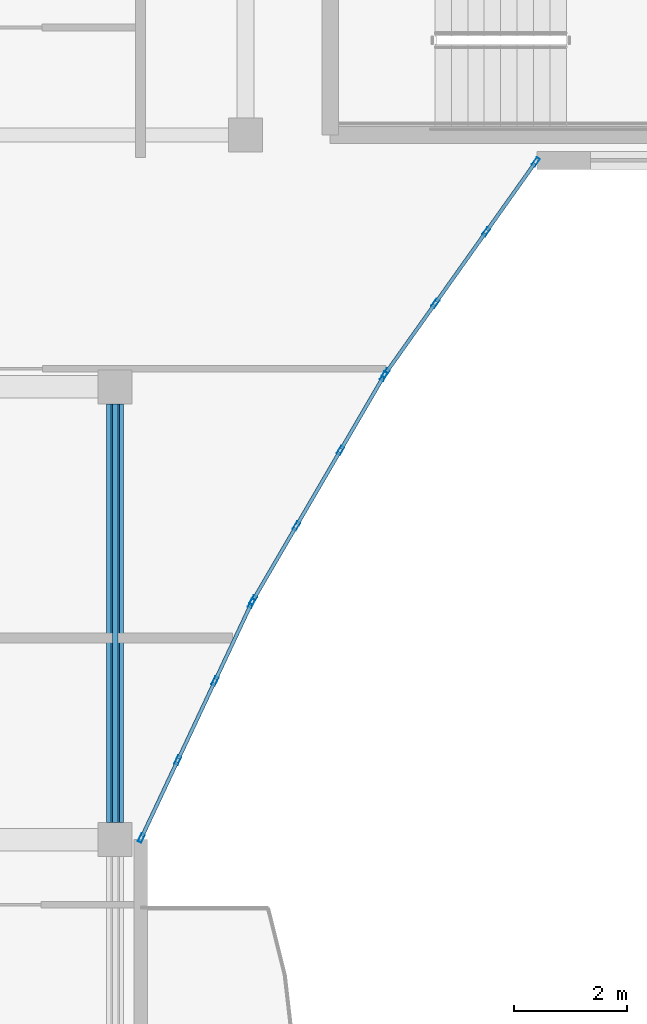
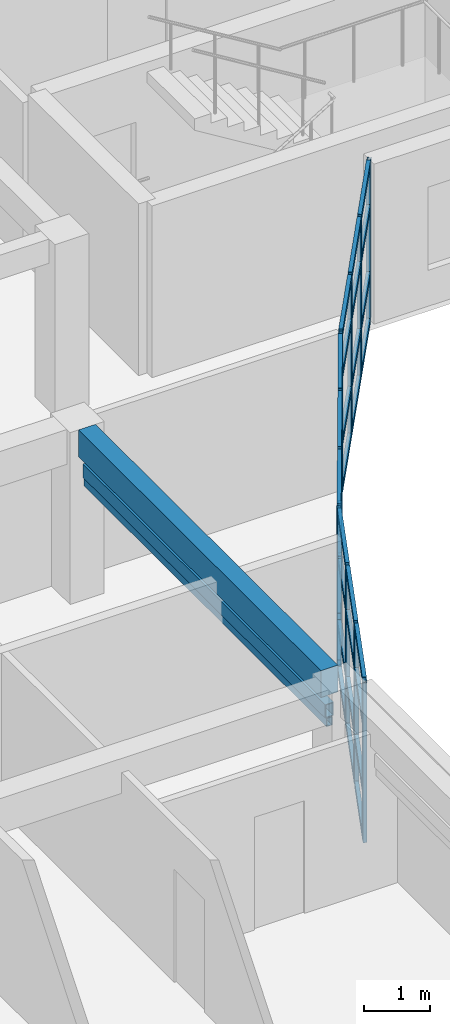
# One storey, part 2 of 72: 50 members, 1 beam, 3 elements without a shape of their own.
"""IFC4 building model written with IfcOpenShell, lengths in metres."""

from ifc_helpers import new_model, si_unit, direction, frame, origin, origin_2d, place, context, subcontext, project, spatial, rectangle, hollow_rectangle, extrude, material, layer, layer_set, material_profile, profile_set, type_object, element, aggregate, save


model = new_model("IFC4")

# Units and contexts
model_context = context("Model", 3, precision=1e-05, world=origin(), true_north=direction((0.0, 1.0)))
body_context = subcontext(model_context, "Body", "Model", "MODEL_VIEW")
ifc_project = project(units=[si_unit("LENGTHUNIT", "METRE"), si_unit("AREAUNIT", "SQUARE_METRE"), si_unit("VOLUMEUNIT", "CUBIC_METRE"), si_unit("PLANEANGLEUNIT", "RADIAN"), si_unit("MASSUNIT", "GRAM", prefix="KILO")], contexts=[model_context])

# Site, building, storey
site_placement = place(None, origin())
site = spatial("IfcSite", under=ifc_project, at=site_placement, CompositionType="ELEMENT")
building_placement = place(site_placement, origin())
building = spatial("IfcBuilding", under=site, at=building_placement, Name="Keldmere Railside Commons", CompositionType="ELEMENT")
storey_placement = place(building_placement, frame((0.0, 0.0, 16.9599609375)))
storey = spatial("IfcBuildingStorey", under=building, at=storey_placement, Name="L05", CompositionType="ELEMENT", Elevation=16.9599609375)

# Member
ifc_material_1 = material(Name="Steel F-36 (S355)", Category="steel")
ifc_material_profile_1 = material_profile(ifc_material_1, hollow_rectangle(XDim=0.14990234375, YDim=0.25, WallThickness=0.010009765625, at=origin_2d()), Name="RHS-250x150x10")
ifc_profile_set_1 = profile_set([ifc_material_profile_1], Name="Steel F-36 (S355)")
member_type_1 = type_object("IfcMemberType", Name="Balcony Continuous Planted Trough RHS250x150", PredefinedType="CHORD", material=ifc_profile_set_1)
member_1_placement = place(storey_placement, frame((23.550048828125, 88.300048828125, 2.4150390625), z_axis=(0.0, 1.0, 0.0), x_axis=(-1.0, 0.0, 0.0)))
element("IfcMember", 1, at=member_1_placement, inside=storey, type_object=member_type_1, Name="PLT-1 MEM-BPLT-0585", PredefinedType="CHORD", context=body_context, shape_type="SweptSolid", body=[
    extrude(hollow_rectangle(XDim=0.14990234375, YDim=0.25, WallThickness=0.010009765625, at=origin_2d()), origin(), (0.0, 0.0, 1.0), 7.39990234375),
])

# Beam
ifc_material_2 = material(Name="Concrete H-30 (C30/37)", Category="concrete")
ifc_material_profile_2 = material_profile(ifc_material_2, rectangle(XDim=0.300048828125, YDim=0.5, at=origin_2d()), Name="RC-300x500")
ifc_profile_set_2 = profile_set([ifc_material_profile_2], Name="Concrete H-30 (C30/37)")
beam_type = type_object("IfcBeamType", Name="Secondary Frame RC Beam 300x500", PredefinedType="BEAM", material=ifc_profile_set_2)
beam_placement = place(storey_placement, frame((23.550048828125, 88.300048828125, 2.949951171875), z_axis=(0.0, 1.0, 0.0), x_axis=(-1.0, 0.0, 0.0)))
element("IfcBeam", 2, at=beam_placement, inside=storey, type_object=beam_type, Name="BG-5 BM-L05-1788", PredefinedType="BEAM", context=body_context, shape_type="SweptSolid", body=[
    extrude(rectangle(XDim=0.300048828125, YDim=0.5, at=origin_2d()), origin(), (0.0, 0.0, 1.0), 7.39990234375),
])

# Member
ifc_material_profile_3 = material_profile(ifc_material_1, hollow_rectangle(XDim=0.10009765625, YDim=0.159912109375, WallThickness=0.008056640625, at=origin_2d()), Name="RHS-160x100x8")
ifc_profile_set_3 = profile_set([ifc_material_profile_3], Name="Steel F-36 (S355)")
member_type_2 = type_object("IfcMemberType", Name="Solar Brise-Soleil Louvre Fin RHS160x100", PredefinedType="STRUT", material=ifc_profile_set_3)
member_2_placement = place(storey_placement, frame((23.550048828125, 88.300048828125, 2.199951171875), z_axis=(0.0, 1.0, 0.0), x_axis=(-1.0, 0.0, 0.0)))
element("IfcMember", 3, at=member_2_placement, inside=storey, type_object=member_type_2, Name="BSF-1 MEM-BSF-0586", PredefinedType="STRUT", context=body_context, shape_type="SweptSolid", body=[
    extrude(hollow_rectangle(XDim=0.10009765625, YDim=0.159912109375, WallThickness=0.008056640625, at=origin_2d()), origin(), (0.0, 0.0, 1.0), 7.39990234375),
])

# Curtain wall, members
ifc_material_3 = material(Name="Thermally Broken Aluminium", Category="aluminium")
ifc_layer_1 = layer(ifc_material_3, 0.159912109375, Name="Court Chord Wintergarden CW 4800x2850")
ifc_layer_set_1 = layer_set([ifc_layer_1], Name="Thermally Broken Aluminium")
curtain_wall_type_1 = type_object("IfcCurtainWallType", Name="Court Chord Wintergarden CW 4800x2850", PredefinedType="NOTDEFINED", material=ifc_layer_set_1)
curtain_wall_1_placement = place(storey_placement, origin())
curtain_wall_1 = element("IfcCurtainWall", 4, at=curtain_wall_1_placement, inside=storey, type_object=curtain_wall_type_1, Name="CW-12 CW-L05-016", PredefinedType="NOTDEFINED")
ifc_material_profile_4 = material_profile(ifc_material_3, hollow_rectangle(XDim=0.06494140625, YDim=0.159912109375, WallThickness=0.00390625, at=origin_2d()), Name="ALU-MULL-65x160")
ifc_profile_set_4 = profile_set([ifc_material_profile_4], Name="Thermally Broken Aluminium")
member_type_3 = type_object("IfcMemberType", Name="Unitised Curtain Wall Mullion 65x160", PredefinedType="MULLION", material=ifc_profile_set_4)
member_3_placement = place(storey_placement, frame((25.958251953125, 92.173583984375, 0.0), z_axis=(0.0, 0.0, 1.0), x_axis=(0.905306255478, -0.424759442264, 0.0)))
member_3 = element("IfcMember", 5, at=member_3_placement, type_object=member_type_3, Name="CW-12 mullion 1", PredefinedType="MULLION", context=body_context, shape_type="SweptSolid", body=[
    extrude(hollow_rectangle(XDim=0.06494140625, YDim=0.159912109375, WallThickness=0.00390625, at=origin_2d()), origin(), (0.0, 0.0, 1.0), 2.97998046875),
])
member_4_placement = place(storey_placement, frame((25.314697265625, 90.802001953125, 0.0), z_axis=(0.0, 0.0, 1.0), x_axis=(0.905306255478, -0.424759442264, 0.0)))
member_4 = element("IfcMember", 6, at=member_4_placement, type_object=member_type_3, Name="CW-12 mullion 2", PredefinedType="MULLION", context=body_context, shape_type="SweptSolid", body=[
    extrude(hollow_rectangle(XDim=0.06494140625, YDim=0.159912109375, WallThickness=0.00390625, at=origin_2d()), origin(), (0.0, 0.0, 1.0), 2.97998046875),
])
member_5_placement = place(storey_placement, frame((24.6572265625, 89.40087890625, 0.0), z_axis=(0.0, 0.0, 1.0), x_axis=(0.905306255478, -0.424759442264, 0.0)))
member_5 = element("IfcMember", 7, at=member_5_placement, type_object=member_type_3, Name="CW-12 mullion 3", PredefinedType="MULLION", context=body_context, shape_type="SweptSolid", body=[
    extrude(hollow_rectangle(XDim=0.06494140625, YDim=0.159912109375, WallThickness=0.00390625, at=origin_2d()), origin(), (0.0, 0.0, 1.0), 2.97998046875),
])
member_6_placement = place(storey_placement, frame((24.013916015625, 88.029541015625, 0.0), z_axis=(0.0, 0.0, 1.0), x_axis=(0.905306255478, -0.424759442264, 0.0)))
member_6 = element("IfcMember", 8, at=member_6_placement, type_object=member_type_3, Name="CW-12 mullion 4", PredefinedType="MULLION", context=body_context, shape_type="SweptSolid", body=[
    extrude(hollow_rectangle(XDim=0.06494140625, YDim=0.159912109375, WallThickness=0.00390625, at=origin_2d()), origin(), (0.0, 0.0, 1.0), 2.97998046875),
])

ifc_layer_2 = layer(ifc_material_3, 0.159912109375, Name="Court Chord Wintergarden CW 5400x2850")
ifc_layer_set_2 = layer_set([ifc_layer_2], Name="Thermally Broken Aluminium")
curtain_wall_type_2 = type_object("IfcCurtainWallType", Name="Court Chord Wintergarden CW 5400x2850", PredefinedType="NOTDEFINED", material=ifc_layer_set_2)
curtain_wall_2_placement = place(storey_placement, origin())
curtain_wall_2 = element("IfcCurtainWall", 9, at=curtain_wall_2_placement, inside=storey, type_object=curtain_wall_type_2, Name="CW-13 CW-L05-017", PredefinedType="NOTDEFINED")
member_7_placement = place(storey_placement, frame((28.295654296875, 96.18603515625, 0.0), z_axis=(0.0, 0.0, 1.0), x_axis=(0.86375546846, -0.503911193272, 0.0)))
member_7 = element("IfcMember", 10, at=member_7_placement, type_object=member_type_3, Name="CW-13 mullion 1", PredefinedType="MULLION", context=body_context, shape_type="SweptSolid", body=[
    extrude(hollow_rectangle(XDim=0.06494140625, YDim=0.159912109375, WallThickness=0.00390625, at=origin_2d()), origin(), (0.0, 0.0, 1.0), 2.97998046875),
])
member_8_placement = place(storey_placement, frame((27.531982421875, 94.876953125, 0.0), z_axis=(0.0, 0.0, 1.0), x_axis=(0.86375546846, -0.503911193272, 0.0)))
member_8 = element("IfcMember", 11, at=member_8_placement, type_object=member_type_3, Name="CW-13 mullion 2", PredefinedType="MULLION", context=body_context, shape_type="SweptSolid", body=[
    extrude(hollow_rectangle(XDim=0.06494140625, YDim=0.159912109375, WallThickness=0.00390625, at=origin_2d()), origin(), (0.0, 0.0, 1.0), 2.97998046875),
])
member_9_placement = place(storey_placement, frame((26.751953125, 93.5400390625, 0.0), z_axis=(0.0, 0.0, 1.0), x_axis=(0.86375546846, -0.503911193272, 0.0)))
member_9 = element("IfcMember", 12, at=member_9_placement, type_object=member_type_3, Name="CW-13 mullion 3", PredefinedType="MULLION", context=body_context, shape_type="SweptSolid", body=[
    extrude(hollow_rectangle(XDim=0.06494140625, YDim=0.159912109375, WallThickness=0.00390625, at=origin_2d()), origin(), (0.0, 0.0, 1.0), 2.97998046875),
])
member_10_placement = place(storey_placement, frame((25.98828125, 92.23095703125, 0.0), z_axis=(0.0, 0.0, 1.0), x_axis=(0.86375546846, -0.503911193272, 0.0)))
member_10 = element("IfcMember", 13, at=member_10_placement, type_object=member_type_3, Name="CW-13 mullion 4", PredefinedType="MULLION", context=body_context, shape_type="SweptSolid", body=[
    extrude(hollow_rectangle(XDim=0.06494140625, YDim=0.159912109375, WallThickness=0.00390625, at=origin_2d()), origin(), (0.0, 0.0, 1.0), 2.97998046875),
])

curtain_wall_3_placement = place(storey_placement, origin())
curtain_wall_3 = element("IfcCurtainWall", 14, at=curtain_wall_3_placement, inside=storey, type_object=curtain_wall_type_1, Name="CW-12 CW-L05-018", PredefinedType="NOTDEFINED")
member_11_placement = place(storey_placement, frame((30.981201171875, 99.973388671875, 0.0), z_axis=(0.0, 0.0, 1.0), x_axis=(0.815389084395, -0.578913327753, 0.0)))
member_11 = element("IfcMember", 15, at=member_11_placement, type_object=member_type_3, Name="CW-12 mullion 1", PredefinedType="MULLION", context=body_context, shape_type="SweptSolid", body=[
    extrude(hollow_rectangle(XDim=0.06494140625, YDim=0.159912109375, WallThickness=0.00390625, at=origin_2d()), origin(), (0.0, 0.0, 1.0), 2.97998046875),
])
member_12_placement = place(storey_placement, frame((30.10400390625, 98.738037109375, 0.0), z_axis=(0.0, 0.0, 1.0), x_axis=(0.815389084395, -0.578913327753, 0.0)))
member_12 = element("IfcMember", 16, at=member_12_placement, type_object=member_type_3, Name="CW-12 mullion 2", PredefinedType="MULLION", context=body_context, shape_type="SweptSolid", body=[
    extrude(hollow_rectangle(XDim=0.06494140625, YDim=0.159912109375, WallThickness=0.00390625, at=origin_2d()), origin(), (0.0, 0.0, 1.0), 2.97998046875),
])
member_13_placement = place(storey_placement, frame((29.2080078125, 97.47607421875, 0.0), z_axis=(0.0, 0.0, 1.0), x_axis=(0.815389084395, -0.578913327753, 0.0)))
member_13 = element("IfcMember", 17, at=member_13_placement, type_object=member_type_3, Name="CW-12 mullion 3", PredefinedType="MULLION", context=body_context, shape_type="SweptSolid", body=[
    extrude(hollow_rectangle(XDim=0.06494140625, YDim=0.159912109375, WallThickness=0.00390625, at=origin_2d()), origin(), (0.0, 0.0, 1.0), 2.97998046875),
])
member_14_placement = place(storey_placement, frame((28.330810546875, 96.240478515625, 0.0), z_axis=(0.0, 0.0, 1.0), x_axis=(0.815389084395, -0.578913327753, 0.0)))
member_14 = element("IfcMember", 18, at=member_14_placement, type_object=member_type_3, Name="CW-12 mullion 4", PredefinedType="MULLION", context=body_context, shape_type="SweptSolid", body=[
    extrude(hollow_rectangle(XDim=0.06494140625, YDim=0.159912109375, WallThickness=0.00390625, at=origin_2d()), origin(), (0.0, 0.0, 1.0), 2.97998046875),
])

# Member
ifc_material_profile_5 = material_profile(ifc_material_3, hollow_rectangle(XDim=0.06494140625, YDim=0.1201171875, WallThickness=0.00390625, at=origin_2d()), Name="ALU-TRAN-65x120")
ifc_profile_set_5 = profile_set([ifc_material_profile_5], Name="Thermally Broken Aluminium")
member_type_4 = type_object("IfcMemberType", Name="Unitised Curtain Wall Transom 65x120", PredefinedType="USERDEFINED", material=ifc_profile_set_5)
member_15_placement = place(storey_placement, frame((25.9443359375, 92.14404296875, 0.032470703125), z_axis=(-0.424847998455, -0.905264700631, 0.0), x_axis=(0.905264700631, -0.424847998455, 0.0)))
member_15 = element("IfcMember", 19, at=member_15_placement, type_object=member_type_4, Name="CW-12 transom 1.1", ObjectType="TRANSOM", PredefinedType="USERDEFINED", context=body_context, shape_type="SweptSolid", body=[
    extrude(hollow_rectangle(XDim=0.06494140625, YDim=0.1201171875, WallThickness=0.00390625, at=origin_2d()), origin(), (0.0, 0.0, 1.0), 1.449951171875),
])

member_16_placement = place(storey_placement, frame((25.9443359375, 92.14404296875, 0.900146484375), z_axis=(-0.424847998455, -0.905264700631, 0.0), x_axis=(0.905264700631, -0.424847998455, 0.0)))
member_16 = element("IfcMember", 20, at=member_16_placement, type_object=member_type_4, Name="CW-12 transom 1.2", ObjectType="TRANSOM", PredefinedType="USERDEFINED", context=body_context, shape_type="SweptSolid", body=[
    extrude(hollow_rectangle(XDim=0.06494140625, YDim=0.1201171875, WallThickness=0.00390625, at=origin_2d()), origin(), (0.0, 0.0, 1.0), 1.449951171875),
])

member_17_placement = place(storey_placement, frame((25.9443359375, 92.14404296875, 2.150146484375), z_axis=(-0.424847998455, -0.905264700631, 0.0), x_axis=(0.905264700631, -0.424847998455, 0.0)))
member_17 = element("IfcMember", 21, at=member_17_placement, type_object=member_type_4, Name="CW-12 transom 1.3", ObjectType="TRANSOM", PredefinedType="USERDEFINED", context=body_context, shape_type="SweptSolid", body=[
    extrude(hollow_rectangle(XDim=0.06494140625, YDim=0.1201171875, WallThickness=0.00390625, at=origin_2d()), origin(), (0.0, 0.0, 1.0), 1.449951171875),
])

member_18_placement = place(storey_placement, frame((25.9443359375, 92.14404296875, 2.947509765625), z_axis=(-0.424847998455, -0.905264700631, 0.0), x_axis=(0.905264700631, -0.424847998455, 0.0)))
member_18 = element("IfcMember", 22, at=member_18_placement, type_object=member_type_4, Name="CW-12 transom 1.4", ObjectType="TRANSOM", PredefinedType="USERDEFINED", context=body_context, shape_type="SweptSolid", body=[
    extrude(hollow_rectangle(XDim=0.06494140625, YDim=0.1201171875, WallThickness=0.00390625, at=origin_2d()), origin(), (0.0, 0.0, 1.0), 1.449951171875),
])

member_19_placement = place(storey_placement, frame((25.30078125, 90.7724609375, 0.032470703125), z_axis=(-0.424741875375, -0.905314497455, 0.0), x_axis=(0.905314497455, -0.424741875375, 0.0)))
member_19 = element("IfcMember", 23, at=member_19_placement, type_object=member_type_4, Name="CW-12 transom 2.1", ObjectType="TRANSOM", PredefinedType="USERDEFINED", context=body_context, shape_type="SweptSolid", body=[
    extrude(hollow_rectangle(XDim=0.06494140625, YDim=0.1201171875, WallThickness=0.00390625, at=origin_2d()), origin(), (0.0, 0.0, 1.0), 1.482421875),
])

member_20_placement = place(storey_placement, frame((25.30078125, 90.7724609375, 0.900146484375), z_axis=(-0.424741875375, -0.905314497455, 0.0), x_axis=(0.905314497455, -0.424741875375, 0.0)))
member_20 = element("IfcMember", 24, at=member_20_placement, type_object=member_type_4, Name="CW-12 transom 2.2", ObjectType="TRANSOM", PredefinedType="USERDEFINED", context=body_context, shape_type="SweptSolid", body=[
    extrude(hollow_rectangle(XDim=0.06494140625, YDim=0.1201171875, WallThickness=0.00390625, at=origin_2d()), origin(), (0.0, 0.0, 1.0), 1.482421875),
])

member_21_placement = place(storey_placement, frame((25.30078125, 90.7724609375, 2.150146484375), z_axis=(-0.424741875375, -0.905314497455, 0.0), x_axis=(0.905314497455, -0.424741875375, 0.0)))
member_21 = element("IfcMember", 25, at=member_21_placement, type_object=member_type_4, Name="CW-12 transom 2.3", ObjectType="TRANSOM", PredefinedType="USERDEFINED", context=body_context, shape_type="SweptSolid", body=[
    extrude(hollow_rectangle(XDim=0.06494140625, YDim=0.1201171875, WallThickness=0.00390625, at=origin_2d()), origin(), (0.0, 0.0, 1.0), 1.482421875),
])

member_22_placement = place(storey_placement, frame((25.30078125, 90.7724609375, 2.947509765625), z_axis=(-0.424741875375, -0.905314497455, 0.0), x_axis=(0.905314497455, -0.424741875375, 0.0)))
member_22 = element("IfcMember", 26, at=member_22_placement, type_object=member_type_4, Name="CW-12 transom 2.4", ObjectType="TRANSOM", PredefinedType="USERDEFINED", context=body_context, shape_type="SweptSolid", body=[
    extrude(hollow_rectangle(XDim=0.06494140625, YDim=0.1201171875, WallThickness=0.00390625, at=origin_2d()), origin(), (0.0, 0.0, 1.0), 1.482421875),
])

member_23_placement = place(storey_placement, frame((24.6435546875, 89.37158203125, 0.032470703125), z_axis=(-0.424783244458, -0.905295087376, 0.0), x_axis=(0.905295087376, -0.424783244458, 0.0)))
member_23 = element("IfcMember", 27, at=member_23_placement, type_object=member_type_4, Name="CW-12 transom 3.1", ObjectType="TRANSOM", PredefinedType="USERDEFINED", context=body_context, shape_type="SweptSolid", body=[
    extrude(hollow_rectangle(XDim=0.06494140625, YDim=0.1201171875, WallThickness=0.00390625, at=origin_2d()), origin(), (0.0, 0.0, 1.0), 1.449951171875),
])

member_24_placement = place(storey_placement, frame((24.6435546875, 89.37158203125, 0.900146484375), z_axis=(-0.424783244458, -0.905295087376, 0.0), x_axis=(0.905295087376, -0.424783244458, 0.0)))
member_24 = element("IfcMember", 28, at=member_24_placement, type_object=member_type_4, Name="CW-12 transom 3.2", ObjectType="TRANSOM", PredefinedType="USERDEFINED", context=body_context, shape_type="SweptSolid", body=[
    extrude(hollow_rectangle(XDim=0.06494140625, YDim=0.1201171875, WallThickness=0.00390625, at=origin_2d()), origin(), (0.0, 0.0, 1.0), 1.449951171875),
])

member_25_placement = place(storey_placement, frame((24.6435546875, 89.37158203125, 2.150146484375), z_axis=(-0.424783244458, -0.905295087376, 0.0), x_axis=(0.905295087376, -0.424783244458, 0.0)))
member_25 = element("IfcMember", 29, at=member_25_placement, type_object=member_type_4, Name="CW-12 transom 3.3", ObjectType="TRANSOM", PredefinedType="USERDEFINED", context=body_context, shape_type="SweptSolid", body=[
    extrude(hollow_rectangle(XDim=0.06494140625, YDim=0.1201171875, WallThickness=0.00390625, at=origin_2d()), origin(), (0.0, 0.0, 1.0), 1.449951171875),
])

member_26_placement = place(storey_placement, frame((24.6435546875, 89.37158203125, 2.947509765625), z_axis=(-0.424783244458, -0.905295087376, 0.0), x_axis=(0.905295087376, -0.424783244458, 0.0)))
member_26 = element("IfcMember", 30, at=member_26_placement, type_object=member_type_4, Name="CW-12 transom 3.4", ObjectType="TRANSOM", PredefinedType="USERDEFINED", context=body_context, shape_type="SweptSolid", body=[
    extrude(hollow_rectangle(XDim=0.06494140625, YDim=0.1201171875, WallThickness=0.00390625, at=origin_2d()), origin(), (0.0, 0.0, 1.0), 1.449951171875),
])

aggregate(curtain_wall_1, [member_3, member_4, member_5, member_6, member_15, member_16, member_17, member_18, member_19, member_20, member_21, member_22, member_23, member_24, member_25, member_26])

member_27_placement = place(storey_placement, frame((28.279296875, 96.157958984375, 0.032470703125), z_axis=(-0.503912883812, -0.863754482205, 0.0), x_axis=(0.863754482205, -0.503912883812, 0.0)))
member_27 = element("IfcMember", 31, at=member_27_placement, type_object=member_type_4, Name="CW-13 transom 1.1", ObjectType="TRANSOM", PredefinedType="USERDEFINED", context=body_context, shape_type="SweptSolid", body=[
    extrude(hollow_rectangle(XDim=0.06494140625, YDim=0.1201171875, WallThickness=0.00390625, at=origin_2d()), origin(), (0.0, 0.0, 1.0), 1.45068359375),
])

member_28_placement = place(storey_placement, frame((28.279296875, 96.157958984375, 0.900146484375), z_axis=(-0.503912883812, -0.863754482205, 0.0), x_axis=(0.863754482205, -0.503912883812, 0.0)))
member_28 = element("IfcMember", 32, at=member_28_placement, type_object=member_type_4, Name="CW-13 transom 1.2", ObjectType="TRANSOM", PredefinedType="USERDEFINED", context=body_context, shape_type="SweptSolid", body=[
    extrude(hollow_rectangle(XDim=0.06494140625, YDim=0.1201171875, WallThickness=0.00390625, at=origin_2d()), origin(), (0.0, 0.0, 1.0), 1.45068359375),
])

member_29_placement = place(storey_placement, frame((28.279296875, 96.157958984375, 2.150146484375), z_axis=(-0.503912883812, -0.863754482205, 0.0), x_axis=(0.863754482205, -0.503912883812, 0.0)))
member_29 = element("IfcMember", 33, at=member_29_placement, type_object=member_type_4, Name="CW-13 transom 1.3", ObjectType="TRANSOM", PredefinedType="USERDEFINED", context=body_context, shape_type="SweptSolid", body=[
    extrude(hollow_rectangle(XDim=0.06494140625, YDim=0.1201171875, WallThickness=0.00390625, at=origin_2d()), origin(), (0.0, 0.0, 1.0), 1.45068359375),
])

member_30_placement = place(storey_placement, frame((28.279296875, 96.157958984375, 2.947509765625), z_axis=(-0.503912883812, -0.863754482205, 0.0), x_axis=(0.863754482205, -0.503912883812, 0.0)))
member_30 = element("IfcMember", 34, at=member_30_placement, type_object=member_type_4, Name="CW-13 transom 1.4", ObjectType="TRANSOM", PredefinedType="USERDEFINED", context=body_context, shape_type="SweptSolid", body=[
    extrude(hollow_rectangle(XDim=0.06494140625, YDim=0.1201171875, WallThickness=0.00390625, at=origin_2d()), origin(), (0.0, 0.0, 1.0), 1.45068359375),
])

member_31_placement = place(storey_placement, frame((27.515625, 94.848876953125, 0.032470703125), z_axis=(-0.503973390927, -0.863719179616, 0.0), x_axis=(0.863719179616, -0.503973390927, 0.0)))
member_31 = element("IfcMember", 35, at=member_31_placement, type_object=member_type_4, Name="CW-13 transom 2.1", ObjectType="TRANSOM", PredefinedType="USERDEFINED", context=body_context, shape_type="SweptSolid", body=[
    extrude(hollow_rectangle(XDim=0.06494140625, YDim=0.1201171875, WallThickness=0.00390625, at=origin_2d()), origin(), (0.0, 0.0, 1.0), 1.48291015625),
])

member_32_placement = place(storey_placement, frame((27.515625, 94.848876953125, 0.900146484375), z_axis=(-0.503973390927, -0.863719179616, 0.0), x_axis=(0.863719179616, -0.503973390927, 0.0)))
member_32 = element("IfcMember", 36, at=member_32_placement, type_object=member_type_4, Name="CW-13 transom 2.2", ObjectType="TRANSOM", PredefinedType="USERDEFINED", context=body_context, shape_type="SweptSolid", body=[
    extrude(hollow_rectangle(XDim=0.06494140625, YDim=0.1201171875, WallThickness=0.00390625, at=origin_2d()), origin(), (0.0, 0.0, 1.0), 1.48291015625),
])

member_33_placement = place(storey_placement, frame((27.515625, 94.848876953125, 2.150146484375), z_axis=(-0.503973390927, -0.863719179616, 0.0), x_axis=(0.863719179616, -0.503973390927, 0.0)))
member_33 = element("IfcMember", 37, at=member_33_placement, type_object=member_type_4, Name="CW-13 transom 2.3", ObjectType="TRANSOM", PredefinedType="USERDEFINED", context=body_context, shape_type="SweptSolid", body=[
    extrude(hollow_rectangle(XDim=0.06494140625, YDim=0.1201171875, WallThickness=0.00390625, at=origin_2d()), origin(), (0.0, 0.0, 1.0), 1.48291015625),
])

member_34_placement = place(storey_placement, frame((27.515625, 94.848876953125, 2.947509765625), z_axis=(-0.503973390927, -0.863719179616, 0.0), x_axis=(0.863719179616, -0.503973390927, 0.0)))
member_34 = element("IfcMember", 38, at=member_34_placement, type_object=member_type_4, Name="CW-13 transom 2.4", ObjectType="TRANSOM", PredefinedType="USERDEFINED", context=body_context, shape_type="SweptSolid", body=[
    extrude(hollow_rectangle(XDim=0.06494140625, YDim=0.1201171875, WallThickness=0.00390625, at=origin_2d()), origin(), (0.0, 0.0, 1.0), 1.48291015625),
])

member_35_placement = place(storey_placement, frame((26.735595703125, 93.511962890625, 0.032470703125), z_axis=(-0.503912883812, -0.863754482205, 0.0), x_axis=(0.863754482205, -0.503912883812, 0.0)))
member_35 = element("IfcMember", 39, at=member_35_placement, type_object=member_type_4, Name="CW-13 transom 3.1", ObjectType="TRANSOM", PredefinedType="USERDEFINED", context=body_context, shape_type="SweptSolid", body=[
    extrude(hollow_rectangle(XDim=0.06494140625, YDim=0.1201171875, WallThickness=0.00390625, at=origin_2d()), origin(), (0.0, 0.0, 1.0), 1.45068359375),
])

member_36_placement = place(storey_placement, frame((26.735595703125, 93.511962890625, 0.900146484375), z_axis=(-0.503912883812, -0.863754482205, 0.0), x_axis=(0.863754482205, -0.503912883812, 0.0)))
member_36 = element("IfcMember", 40, at=member_36_placement, type_object=member_type_4, Name="CW-13 transom 3.2", ObjectType="TRANSOM", PredefinedType="USERDEFINED", context=body_context, shape_type="SweptSolid", body=[
    extrude(hollow_rectangle(XDim=0.06494140625, YDim=0.1201171875, WallThickness=0.00390625, at=origin_2d()), origin(), (0.0, 0.0, 1.0), 1.45068359375),
])

member_37_placement = place(storey_placement, frame((26.735595703125, 93.511962890625, 2.150146484375), z_axis=(-0.503912883812, -0.863754482205, 0.0), x_axis=(0.863754482205, -0.503912883812, 0.0)))
member_37 = element("IfcMember", 41, at=member_37_placement, type_object=member_type_4, Name="CW-13 transom 3.3", ObjectType="TRANSOM", PredefinedType="USERDEFINED", context=body_context, shape_type="SweptSolid", body=[
    extrude(hollow_rectangle(XDim=0.06494140625, YDim=0.1201171875, WallThickness=0.00390625, at=origin_2d()), origin(), (0.0, 0.0, 1.0), 1.45068359375),
])

member_38_placement = place(storey_placement, frame((26.735595703125, 93.511962890625, 2.947509765625), z_axis=(-0.503912883812, -0.863754482205, 0.0), x_axis=(0.863754482205, -0.503912883812, 0.0)))
member_38 = element("IfcMember", 42, at=member_38_placement, type_object=member_type_4, Name="CW-13 transom 3.4", ObjectType="TRANSOM", PredefinedType="USERDEFINED", context=body_context, shape_type="SweptSolid", body=[
    extrude(hollow_rectangle(XDim=0.06494140625, YDim=0.1201171875, WallThickness=0.00390625, at=origin_2d()), origin(), (0.0, 0.0, 1.0), 1.45068359375),
])

aggregate(curtain_wall_2, [member_7, member_8, member_9, member_10, member_27, member_28, member_29, member_30, member_31, member_32, member_33, member_34, member_35, member_36, member_37, member_38])

member_39_placement = place(storey_placement, frame((30.96240234375, 99.947021484375, 0.032470703125), z_axis=(-0.578895059002, -0.815402054611, 0.0), x_axis=(0.815402054611, -0.578895059002, 0.0)))
member_39 = element("IfcMember", 43, at=member_39_placement, type_object=member_type_4, Name="CW-12 transom 1.1", ObjectType="TRANSOM", PredefinedType="USERDEFINED", context=body_context, shape_type="SweptSolid", body=[
    extrude(hollow_rectangle(XDim=0.06494140625, YDim=0.1201171875, WallThickness=0.00390625, at=origin_2d()), origin(), (0.0, 0.0, 1.0), 1.450439453125),
])

member_40_placement = place(storey_placement, frame((30.96240234375, 99.947021484375, 0.900146484375), z_axis=(-0.578895059002, -0.815402054611, 0.0), x_axis=(0.815402054611, -0.578895059002, 0.0)))
member_40 = element("IfcMember", 44, at=member_40_placement, type_object=member_type_4, Name="CW-12 transom 1.2", ObjectType="TRANSOM", PredefinedType="USERDEFINED", context=body_context, shape_type="SweptSolid", body=[
    extrude(hollow_rectangle(XDim=0.06494140625, YDim=0.1201171875, WallThickness=0.00390625, at=origin_2d()), origin(), (0.0, 0.0, 1.0), 1.450439453125),
])

member_41_placement = place(storey_placement, frame((30.96240234375, 99.947021484375, 2.150146484375), z_axis=(-0.578895059002, -0.815402054611, 0.0), x_axis=(0.815402054611, -0.578895059002, 0.0)))
member_41 = element("IfcMember", 45, at=member_41_placement, type_object=member_type_4, Name="CW-12 transom 1.3", ObjectType="TRANSOM", PredefinedType="USERDEFINED", context=body_context, shape_type="SweptSolid", body=[
    extrude(hollow_rectangle(XDim=0.06494140625, YDim=0.1201171875, WallThickness=0.00390625, at=origin_2d()), origin(), (0.0, 0.0, 1.0), 1.450439453125),
])

member_42_placement = place(storey_placement, frame((30.96240234375, 99.947021484375, 2.947509765625), z_axis=(-0.578895059002, -0.815402054611, 0.0), x_axis=(0.815402054611, -0.578895059002, 0.0)))
member_42 = element("IfcMember", 46, at=member_42_placement, type_object=member_type_4, Name="CW-12 transom 1.4", ObjectType="TRANSOM", PredefinedType="USERDEFINED", context=body_context, shape_type="SweptSolid", body=[
    extrude(hollow_rectangle(XDim=0.06494140625, YDim=0.1201171875, WallThickness=0.00390625, at=origin_2d()), origin(), (0.0, 0.0, 1.0), 1.450439453125),
])

member_43_placement = place(storey_placement, frame((30.085205078125, 98.71142578125, 0.032470703125), z_axis=(-0.578930676765, -0.815376766593, 0.0), x_axis=(0.815376766593, -0.578930676765, 0.0)))
member_43 = element("IfcMember", 47, at=member_43_placement, type_object=member_type_4, Name="CW-12 transom 2.1", ObjectType="TRANSOM", PredefinedType="USERDEFINED", context=body_context, shape_type="SweptSolid", body=[
    extrude(hollow_rectangle(XDim=0.06494140625, YDim=0.1201171875, WallThickness=0.00390625, at=origin_2d()), origin(), (0.0, 0.0, 1.0), 1.482666015625),
])

member_44_placement = place(storey_placement, frame((30.085205078125, 98.71142578125, 0.900146484375), z_axis=(-0.578930676765, -0.815376766593, 0.0), x_axis=(0.815376766593, -0.578930676765, 0.0)))
member_44 = element("IfcMember", 48, at=member_44_placement, type_object=member_type_4, Name="CW-12 transom 2.2", ObjectType="TRANSOM", PredefinedType="USERDEFINED", context=body_context, shape_type="SweptSolid", body=[
    extrude(hollow_rectangle(XDim=0.06494140625, YDim=0.1201171875, WallThickness=0.00390625, at=origin_2d()), origin(), (0.0, 0.0, 1.0), 1.482666015625),
])

member_45_placement = place(storey_placement, frame((30.085205078125, 98.71142578125, 2.150146484375), z_axis=(-0.578930676765, -0.815376766593, 0.0), x_axis=(0.815376766593, -0.578930676765, 0.0)))
member_45 = element("IfcMember", 49, at=member_45_placement, type_object=member_type_4, Name="CW-12 transom 2.3", ObjectType="TRANSOM", PredefinedType="USERDEFINED", context=body_context, shape_type="SweptSolid", body=[
    extrude(hollow_rectangle(XDim=0.06494140625, YDim=0.1201171875, WallThickness=0.00390625, at=origin_2d()), origin(), (0.0, 0.0, 1.0), 1.482666015625),
])

member_46_placement = place(storey_placement, frame((30.085205078125, 98.71142578125, 2.947509765625), z_axis=(-0.578930676765, -0.815376766593, 0.0), x_axis=(0.815376766593, -0.578930676765, 0.0)))
member_46 = element("IfcMember", 50, at=member_46_placement, type_object=member_type_4, Name="CW-12 transom 2.4", ObjectType="TRANSOM", PredefinedType="USERDEFINED", context=body_context, shape_type="SweptSolid", body=[
    extrude(hollow_rectangle(XDim=0.06494140625, YDim=0.1201171875, WallThickness=0.00390625, at=origin_2d()), origin(), (0.0, 0.0, 1.0), 1.482666015625),
])

member_47_placement = place(storey_placement, frame((29.189208984375, 97.449462890625, 0.032470703125), z_axis=(-0.578974525468, -0.815345631533, 0.0), x_axis=(0.815345631533, -0.578974525468, 0.0)))
member_47 = element("IfcMember", 51, at=member_47_placement, type_object=member_type_4, Name="CW-12 transom 3.1", ObjectType="TRANSOM", PredefinedType="USERDEFINED", context=body_context, shape_type="SweptSolid", body=[
    extrude(hollow_rectangle(XDim=0.06494140625, YDim=0.1201171875, WallThickness=0.00390625, at=origin_2d()), origin(), (0.0, 0.0, 1.0), 1.4501953125),
])

member_48_placement = place(storey_placement, frame((29.189208984375, 97.449462890625, 0.900146484375), z_axis=(-0.578974525468, -0.815345631533, 0.0), x_axis=(0.815345631533, -0.578974525468, 0.0)))
member_48 = element("IfcMember", 52, at=member_48_placement, type_object=member_type_4, Name="CW-12 transom 3.2", ObjectType="TRANSOM", PredefinedType="USERDEFINED", context=body_context, shape_type="SweptSolid", body=[
    extrude(hollow_rectangle(XDim=0.06494140625, YDim=0.1201171875, WallThickness=0.00390625, at=origin_2d()), origin(), (0.0, 0.0, 1.0), 1.4501953125),
])

member_49_placement = place(storey_placement, frame((29.189208984375, 97.449462890625, 2.150146484375), z_axis=(-0.578974525468, -0.815345631533, 0.0), x_axis=(0.815345631533, -0.578974525468, 0.0)))
member_49 = element("IfcMember", 53, at=member_49_placement, type_object=member_type_4, Name="CW-12 transom 3.3", ObjectType="TRANSOM", PredefinedType="USERDEFINED", context=body_context, shape_type="SweptSolid", body=[
    extrude(hollow_rectangle(XDim=0.06494140625, YDim=0.1201171875, WallThickness=0.00390625, at=origin_2d()), origin(), (0.0, 0.0, 1.0), 1.4501953125),
])

member_50_placement = place(storey_placement, frame((29.189208984375, 97.449462890625, 2.947509765625), z_axis=(-0.578974525468, -0.815345631533, 0.0), x_axis=(0.815345631533, -0.578974525468, 0.0)))
member_50 = element("IfcMember", 54, at=member_50_placement, type_object=member_type_4, Name="CW-12 transom 3.4", ObjectType="TRANSOM", PredefinedType="USERDEFINED", context=body_context, shape_type="SweptSolid", body=[
    extrude(hollow_rectangle(XDim=0.06494140625, YDim=0.1201171875, WallThickness=0.00390625, at=origin_2d()), origin(), (0.0, 0.0, 1.0), 1.4501953125),
])

aggregate(curtain_wall_3, [member_11, member_12, member_13, member_14, member_39, member_40, member_41, member_42, member_43, member_44, member_45, member_46, member_47, member_48, member_49, member_50])

save(model, "model.ifc")
